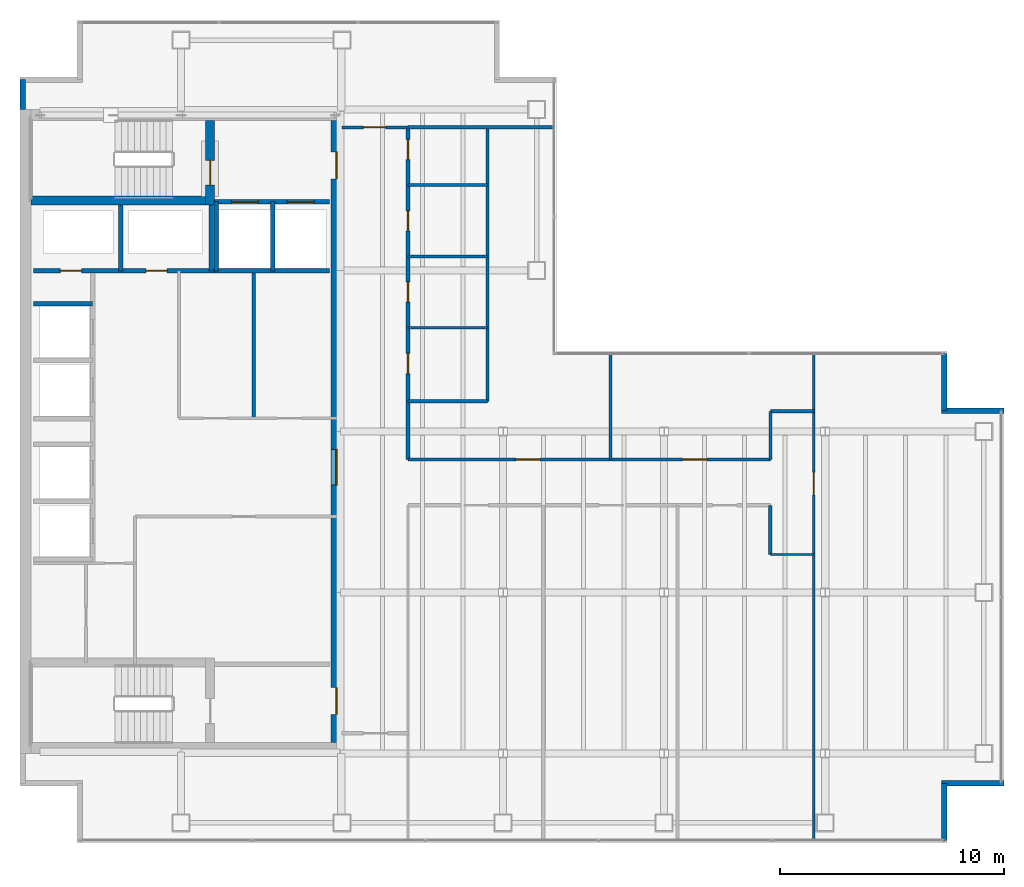
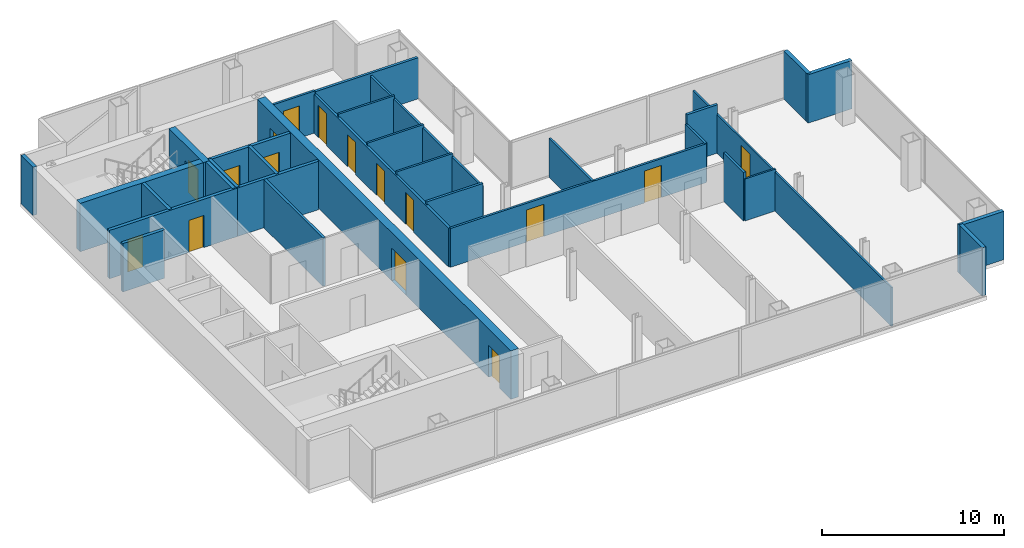
# One storey, part 21 of 23: 32 walls, 16 doors, 16 openings.
"""IFC4 building model written with IfcOpenShell, lengths in metres."""

from ifc_helpers import new_model, si_unit, direction, frame, frame_2d, origin, place, context, subcontext, project, spatial, rectangle, extrude, material, layer, layer_set, type_object, element, fill, save


model = new_model("IFC4")

# Units and contexts
model_context = context("Model", 3, precision=1e-05, world=origin(), true_north=direction((0.0, 1.0)))
body_context = subcontext(model_context, "Body", "Model", "MODEL_VIEW")
ifc_project = project(units=[si_unit("LENGTHUNIT", "METRE"), si_unit("AREAUNIT", "SQUARE_METRE"), si_unit("VOLUMEUNIT", "CUBIC_METRE"), si_unit("PLANEANGLEUNIT", "RADIAN"), si_unit("MASSUNIT", "GRAM", prefix="KILO")], contexts=[model_context])

# Site, building, storey
site_placement = place(None, origin())
site = spatial("IfcSite", under=ifc_project, at=site_placement, CompositionType="ELEMENT")
building_placement = place(site_placement, origin())
building = spatial("IfcBuilding", under=site, at=building_placement, Name="Cobrela Telecom Tower", CompositionType="ELEMENT")
storey_placement = place(building_placement, frame((0.0, 0.0, 194.25)))
storey = spatial("IfcBuildingStorey", under=building, at=storey_placement, Name="L49", CompositionType="ELEMENT", Elevation=194.25)

# Wall, openings, doors
ifc_material_1 = material(Name="Concrete C40/50", Category="concrete")
ifc_layer_1 = layer(ifc_material_1, 0.5)
ifc_layer_set_1 = layer_set([ifc_layer_1], Name="Concrete C40/50")
wall_type_1 = type_object("IfcWallType", Name="WALL-CORE-C40-500", PredefinedType="SHEAR", material=ifc_layer_set_1)
wall_1_placement = place(storey_placement, frame((14.14990234375, 35.5, 0.0), z_axis=(0.0, 0.0, 1.0), x_axis=(0.0, -1.0, 0.0)))
wall_1 = element("IfcWall", 1, at=wall_1_placement, inside=storey, type_object=wall_type_1, Name="L49 East Core Shear Wall", PredefinedType="SHEAR", context=body_context, shape_type="SweptSolid", body=[
    extrude(rectangle(XDim=27.800048828125, YDim=0.5, at=frame_2d((13.89990234375, 0.0))), origin(), (0.0, 0.0, 1.0), 3.239990234375),
])
opening_1_placement = place(wall_1_placement, frame((1.39990234375, 0.0, 0.0)))
opening_1 = element("IfcOpeningElement", 2, at=opening_1_placement, cuts=wall_1, Name="Opening DR-19", PredefinedType="OPENING", context=body_context, shape_type="SweptSolid", body=[
    extrude(rectangle(XDim=1.199951171875, YDim=2.14990234375, at=frame_2d((0.60009765625, 1.074951171875))), frame((0.0, 0.261962890625, 0.0), z_axis=(0.0, -1.0, 0.0), x_axis=(1.0, 0.0, 0.0)), (0.0, 0.0, 1.0), 0.52392578125),
])
opening_2_placement = place(wall_1_placement, frame((25.35009765625, 0.0, 0.0)))
opening_2 = element("IfcOpeningElement", 3, at=opening_2_placement, cuts=wall_1, Name="Opening DR-19", PredefinedType="OPENING", context=body_context, shape_type="SweptSolid", body=[
    extrude(rectangle(XDim=1.199951171875, YDim=2.14990234375, at=frame_2d((0.60009765625, 1.074951171875))), frame((0.0, 0.261962890625, 0.0), z_axis=(0.0, -1.0, 0.0), x_axis=(1.0, 0.0, 0.0)), (0.0, 0.0, 1.0), 0.52392578125),
])
opening_3_placement = place(wall_1_placement, frame((14.699951171875, 0.0, 0.0)))
opening_3 = element("IfcOpeningElement", 4, at=opening_3_placement, cuts=wall_1, Name="Opening DR-51", PredefinedType="OPENING", context=body_context, shape_type="SweptSolid", body=[
    extrude(rectangle(XDim=1.60009765625, YDim=2.199951171875, at=frame_2d((0.800048828125, 1.10009765625))), frame((0.0, 0.261962890625, 0.0), z_axis=(0.0, -1.0, 0.0), x_axis=(1.0, 0.0, 0.0)), (0.0, 0.0, 1.0), 0.52392578125),
])
ifc_material_2 = material(Name="Steel ASTM A36", Category="steel")
door_type_1 = type_object("IfcDoorType", Name="DOOR-FD60-1200", OperationType="SINGLE_SWING_LEFT", PredefinedType="DOOR", material=ifc_material_2)
door_1_placement = place(opening_1_placement, origin())
door_1 = element("IfcDoor", 5, at=door_1_placement, inside=storey, type_object=door_type_1, Name="L49 Door DR-19", OperationType="SINGLE_SWING_LEFT", OverallHeight=2.14990234375, OverallWidth=1.199951171875, PredefinedType="DOOR", context=body_context, shape_type="SweptSolid", body=[
    extrude(rectangle(XDim=1.199951171875, YDim=2.14990234375, at=frame_2d((0.60009765625, 1.074951171875))), frame((0.0, 0.02490234375, 0.0), z_axis=(0.0, -1.0, 0.0), x_axis=(1.0, 0.0, 0.0)), (0.0, 0.0, 1.0), 0.050048828125),
])
fill(opening_1, door_1)
door_2_placement = place(opening_2_placement, origin())
door_2 = element("IfcDoor", 6, at=door_2_placement, inside=storey, type_object=door_type_1, Name="L49 Door DR-19", OperationType="SINGLE_SWING_RIGHT", OverallHeight=2.14990234375, OverallWidth=1.199951171875, PredefinedType="DOOR", context=body_context, shape_type="SweptSolid", body=[
    extrude(rectangle(XDim=1.199951171875, YDim=2.14990234375, at=frame_2d((0.60009765625, 1.074951171875))), frame((0.0, 0.02490234375, 0.0), z_axis=(0.0, -1.0, 0.0), x_axis=(1.0, 0.0, 0.0)), (0.0, 0.0, 1.0), 0.050048828125),
])
fill(opening_2, door_2)
door_type_2 = type_object("IfcDoorType", Name="DOOR-FD60-1600", OperationType="SINGLE_SWING_LEFT", PredefinedType="DOOR", material=ifc_material_2)
door_3_placement = place(opening_3_placement, origin())
door_3 = element("IfcDoor", 7, at=door_3_placement, inside=storey, type_object=door_type_2, Name="L49 Door DR-51", OperationType="DOUBLE_DOOR_SINGLE_SWING", OverallHeight=2.199951171875, OverallWidth=1.60009765625, PredefinedType="DOOR", context=body_context, shape_type="SweptSolid", body=[
    extrude(rectangle(XDim=1.60009765625, YDim=2.199951171875, at=frame_2d((0.800048828125, 1.10009765625))), frame((0.0, 0.02490234375, 0.0), z_axis=(0.0, -1.0, 0.0), x_axis=(1.0, 0.0, 0.0)), (0.0, 0.0, 1.0), 0.050048828125),
])
fill(opening_3, door_3)

# Walls
ifc_layer_2 = layer(ifc_material_1, 0.239990234375)
ifc_layer_set_2 = layer_set([ifc_layer_2], Name="Concrete C40/50")
wall_type_2 = type_object("IfcWallType", Name="WALL-EXT-300", PredefinedType="STANDARD", material=ifc_layer_set_2)
wall_2_placement = place(storey_placement, frame((0.1201171875, 36.0, 0.0), z_axis=(0.0, 0.0, 1.0), x_axis=(0.0, 1.0, 0.0)))
element("IfcWall", 8, at=wall_2_placement, inside=storey, type_object=wall_type_2, Name="L49 Insulated Facade Wall 04", PredefinedType="STANDARD", context=body_context, shape_type="SweptSolid", body=[
    extrude(rectangle(XDim=1.330078125, YDim=0.239990234375, at=frame_2d((0.6650390625, 0.0))), origin(), (0.0, 0.0, 1.0), 3.239990234375),
])
wall_3_placement = place(storey_placement, frame((41.330078125, 25.080078125, 0.0), z_axis=(0.0, 0.0, 1.0), x_axis=(0.0, -1.0, 0.0)))
element("IfcWall", 9, at=wall_3_placement, inside=storey, type_object=wall_type_2, Name="L49 Insulated Facade Wall 12", PredefinedType="STANDARD", context=body_context, shape_type="SweptSolid", body=[
    extrude(rectangle(XDim=2.550048828125, YDim=0.239990234375, at=frame_2d((1.27490234375, 0.0))), origin(), (0.0, 0.0, 1.0), 3.239990234375),
])
for number, where, z_axis, x_axis, name in (
    (10, (41.2099609375, 22.530029296875, 0.0), (0.0, 0.0, 1.0), (1.0, 0.0, 0.0), "L49 Insulated Facade Wall 13"),
    (11, (44.0, 5.8701171875, 0.0), (0.0, 0.0, 1.0), (-1.0, 0.0, 0.0), "L49 Insulated Facade Wall 15"),
):
    element("IfcWall", number, at=place(storey_placement, frame(where, z_axis=z_axis, x_axis=x_axis)), inside=storey, type_object=wall_type_2, Name=name, PredefinedType="STANDARD", context=body_context, shape_type="SweptSolid", body=[
        extrude(rectangle(XDim=2.7900390625, YDim=0.239990234375, at=frame_2d((1.39501953125, 0.0))), origin(), (0.0, 0.0, 1.0), 3.239990234375),
    ])
wall_4_placement = place(storey_placement, frame((41.330078125, 5.8701171875, 0.0), z_axis=(0.0, 0.0, 1.0), x_axis=(0.0, -1.0, 0.0)))
element("IfcWall", 12, at=wall_4_placement, inside=storey, type_object=wall_type_2, Name="L49 Insulated Facade Wall 16", PredefinedType="STANDARD", context=body_context, shape_type="SweptSolid", body=[
    extrude(rectangle(XDim=2.550048828125, YDim=0.239990234375, at=frame_2d((1.27490234375, 0.0))), origin(), (0.0, 0.0, 1.0), 3.239990234375),
])
ifc_material_3 = material(Name="Fire-Rated Gypsum Plasterboard")
ifc_layer_3 = layer(ifc_material_3, 0.110107421875)
ifc_layer_set_3 = layer_set([ifc_layer_3], Name="Fire-Rated Gypsum Plasterboard")
wall_type_3 = type_object("IfcWallType", Name="WALL-PART-110", PredefinedType="PARTITIONING", material=ifc_layer_set_3)
wall_5_placement = place(storey_placement, frame((33.550048828125, 16.10009765625, 0.0), z_axis=(0.0, 0.0, 1.0), x_axis=(1.0, 0.0, 0.0)))
element("IfcWall", 13, at=wall_5_placement, inside=storey, type_object=wall_type_3, Name="L49 Interior Partition W-CT-S", PredefinedType="PARTITIONING", context=body_context, shape_type="SweptSolid", body=[
    extrude(rectangle(XDim=1.949951171875, YDim=0.110107421875, at=frame_2d((0.97509765625, 0.0))), origin(), (0.0, 0.0, 1.0), 2.80810546875),
])

# Wall, opening, door
wall_6_placement = place(storey_placement, frame((35.5, 3.320068359375, 0.0), z_axis=(0.0, 0.0, 1.0), x_axis=(0.0, 1.0, 0.0)))
wall_6 = element("IfcWall", 14, at=wall_6_placement, inside=storey, type_object=wall_type_3, Name="L49 Interior Partition W-C-END", PredefinedType="PARTITIONING", context=body_context, shape_type="SweptSolid", body=[
    extrude(rectangle(XDim=21.760009765625, YDim=0.110107421875, at=frame_2d((10.8798828125, 0.0))), origin(), (0.0, 0.0, 1.0), 2.60302734375),
])
opening_4_placement = place(wall_6_placement, frame((15.449951171875, 0.0, 0.0)))
opening_4 = element("IfcOpeningElement", 15, at=opening_4_placement, cuts=wall_6, Name="Opening DR-31", PredefinedType="OPENING", context=body_context, shape_type="SweptSolid", body=[
    extrude(rectangle(XDim=1.0, YDim=2.14990234375, at=frame_2d((0.5, 1.074951171875))), frame((0.0, 0.06689453125, 0.0), z_axis=(0.0, -1.0, 0.0), x_axis=(1.0, 0.0, 0.0)), (0.0, 0.0, 1.0), 0.134033203125),
])
ifc_material_4 = material(Name="Solid Engineered Oak Timber", Category="wood")
door_type_3 = type_object("IfcDoorType", Name="DOOR-INT-1000", OperationType="SINGLE_SWING_LEFT", PredefinedType="DOOR", material=ifc_material_4)
door_4_placement = place(opening_4_placement, origin())
door_4 = element("IfcDoor", 16, at=door_4_placement, inside=storey, type_object=door_type_3, Name="L49 Door DR-31", OperationType="SINGLE_SWING_LEFT", OverallHeight=2.14990234375, OverallWidth=1.0, PredefinedType="DOOR", context=body_context, shape_type="SweptSolid", body=[
    extrude(rectangle(XDim=1.0, YDim=2.14990234375, at=frame_2d((0.5, 1.074951171875))), frame((0.0, 0.02490234375, 0.0), z_axis=(0.0, -1.0, 0.0), x_axis=(1.0, 0.0, 0.0)), (0.0, 0.0, 1.0), 0.050048828125),
])
fill(opening_4, door_4)

# Walls
ifc_layer_4 = layer(ifc_material_3, 0.125)
ifc_layer_set_4 = layer_set([ifc_layer_4], Name="Fire-Rated Gypsum Plasterboard")
wall_type_4 = type_object("IfcWallType", Name="WALL-PART-125", PredefinedType="PARTITIONING", material=ifc_layer_set_4)
for number, where, z_axis, x_axis, name in (
    (17, (17.35009765625, 26.239990234375, 0.0), (0.0, 0.0, 1.0), (1.0, 0.0, 0.0), "L49 Interior Partition W-WCD-1"),
    (18, (17.35009765625, 29.429931640625, 0.0), (0.0, 0.0, 1.0), (1.0, 0.0, 0.0), "L49 Interior Partition W-WCD-2"),
    (19, (17.35009765625, 32.6201171875, 0.0), (0.0, 0.0, 1.0), (1.0, 0.0, 0.0), "L49 Interior Partition W-WCD-3"),
):
    element("IfcWall", number, at=place(storey_placement, frame(where, z_axis=z_axis, x_axis=x_axis)), inside=storey, type_object=wall_type_4, Name=name, PredefinedType="PARTITIONING", context=body_context, shape_type="SweptSolid", body=[
        extrude(rectangle(XDim=3.5498046875, YDim=0.125, at=frame_2d((1.77490234375, 0.0))), origin(), (0.0, 0.0, 1.0), 2.80810546875),
    ])

# Wall, opening, door
ifc_layer_5 = layer(ifc_material_3, 0.135009765625)
ifc_layer_set_5 = layer_set([ifc_layer_5], Name="Fire-Rated Gypsum Plasterboard")
wall_type_5 = type_object("IfcWallType", Name="WALL-PART-135", PredefinedType="PARTITIONING", material=ifc_layer_set_5)
wall_7_placement = place(storey_placement, frame((14.39990234375, 35.199951171875, 0.0), z_axis=(0.0, 0.0, 1.0), x_axis=(1.0, 0.0, 0.0)))
wall_7 = element("IfcWall", 20, at=wall_7_placement, inside=storey, type_object=wall_type_5, Name="L49 Interior Partition W-C-N0", PredefinedType="PARTITIONING", context=body_context, shape_type="SweptSolid", body=[
    extrude(rectangle(XDim=2.9501953125, YDim=0.135009765625, at=frame_2d((1.47509765625, 0.0))), origin(), (0.0, 0.0, 1.0), 2.80810546875),
])
opening_5_placement = place(wall_7_placement, frame((0.949951171875, 0.0, 0.0)))
opening_5 = element("IfcOpeningElement", 21, at=opening_5_placement, cuts=wall_7, Name="Opening DR-31", PredefinedType="OPENING", context=body_context, shape_type="SweptSolid", body=[
    extrude(rectangle(XDim=1.0, YDim=2.14990234375, at=frame_2d((0.5, 1.074951171875))), frame((0.0, 0.07958984375, 0.0), z_axis=(0.0, -1.0, 0.0), x_axis=(1.0, 0.0, 0.0)), (0.0, 0.0, 1.0), 0.158935546875),
])
door_5_placement = place(opening_5_placement, origin())
door_5 = element("IfcDoor", 22, at=door_5_placement, inside=storey, type_object=door_type_3, Name="L49 Door DR-31", OperationType="SINGLE_SWING_LEFT", OverallHeight=2.14990234375, OverallWidth=1.0, PredefinedType="DOOR", context=body_context, shape_type="SweptSolid", body=[
    extrude(rectangle(XDim=1.0, YDim=2.14990234375, at=frame_2d((0.5, 1.074951171875))), frame((0.0, 0.02490234375, 0.0), z_axis=(0.0, -1.0, 0.0), x_axis=(1.0, 0.0, 0.0)), (0.0, 0.0, 1.0), 0.050048828125),
])
fill(opening_5, door_5)

# Wall, openings, doors
wall_8_placement = place(storey_placement, frame((17.35009765625, 20.35009765625, 0.0), z_axis=(0.0, 0.0, 1.0), x_axis=(1.0, 0.0, 0.0)))
wall_8 = element("IfcWall", 23, at=wall_8_placement, inside=storey, type_object=wall_type_5, Name="L49 Interior Partition W-C-HN", PredefinedType="PARTITIONING", context=body_context, shape_type="SweptSolid", body=[
    extrude(rectangle(XDim=16.199951171875, YDim=0.135009765625, at=frame_2d((8.10009765625, 0.0))), origin(), (0.0, 0.0, 1.0), 2.60302734375),
])
opening_6_placement = place(wall_8_placement, frame((4.820068359375, 0.0, 0.0)))
opening_6 = element("IfcOpeningElement", 24, at=opening_6_placement, cuts=wall_8, Name="Opening DR-63", PredefinedType="OPENING", context=body_context, shape_type="SweptSolid", body=[
    extrude(rectangle(XDim=1.080078125, YDim=2.14990234375, at=frame_2d((0.5400390625, 1.074951171875))), frame((0.0, 0.07958984375, 0.0), z_axis=(0.0, -1.0, 0.0), x_axis=(1.0, 0.0, 0.0)), (0.0, 0.0, 1.0), 0.158935546875),
])
opening_7_placement = place(wall_8_placement, frame((12.280029296875, 0.0, 0.0)))
opening_7 = element("IfcOpeningElement", 25, at=opening_7_placement, cuts=wall_8, Name="Opening DR-63", PredefinedType="OPENING", context=body_context, shape_type="SweptSolid", body=[
    extrude(rectangle(XDim=1.080078125, YDim=2.14990234375, at=frame_2d((0.5400390625, 1.074951171875))), frame((0.0, 0.07958984375, 0.0), z_axis=(0.0, -1.0, 0.0), x_axis=(1.0, 0.0, 0.0)), (0.0, 0.0, 1.0), 0.158935546875),
])
door_type_4 = type_object("IfcDoorType", Name="DOOR-INT-1080", OperationType="SINGLE_SWING_LEFT", PredefinedType="DOOR", material=ifc_material_4)
door_6_placement = place(opening_6_placement, origin())
door_6 = element("IfcDoor", 26, at=door_6_placement, inside=storey, type_object=door_type_4, Name="L49 Door DR-63", OperationType="SINGLE_SWING_LEFT", OverallHeight=2.14990234375, OverallWidth=1.080078125, PredefinedType="DOOR", context=body_context, shape_type="SweptSolid", body=[
    extrude(rectangle(XDim=1.080078125, YDim=2.14990234375, at=frame_2d((0.5400390625, 1.074951171875))), frame((0.0, 0.02490234375, 0.0), z_axis=(0.0, -1.0, 0.0), x_axis=(1.0, 0.0, 0.0)), (0.0, 0.0, 1.0), 0.050048828125),
])
fill(opening_6, door_6)
door_7_placement = place(opening_7_placement, origin())
door_7 = element("IfcDoor", 27, at=door_7_placement, inside=storey, type_object=door_type_4, Name="L49 Door DR-63", OperationType="SINGLE_SWING_RIGHT", OverallHeight=2.14990234375, OverallWidth=1.080078125, PredefinedType="DOOR", context=body_context, shape_type="SweptSolid", body=[
    extrude(rectangle(XDim=1.080078125, YDim=2.14990234375, at=frame_2d((0.5400390625, 1.074951171875))), frame((0.0, 0.02490234375, 0.0), z_axis=(0.0, -1.0, 0.0), x_axis=(1.0, 0.0, 0.0)), (0.0, 0.0, 1.0), 0.050048828125),
])
fill(opening_7, door_7)

# Walls
wall_9_placement = place(storey_placement, frame((33.550048828125, 20.35009765625, 0.0), z_axis=(0.0, 0.0, 1.0), x_axis=(0.0, 1.0, 0.0)))
element("IfcWall", 28, at=wall_9_placement, inside=storey, type_object=wall_type_5, Name="L49 Interior Partition W-CT-JW2", PredefinedType="PARTITIONING", context=body_context, shape_type="SweptSolid", body=[
    extrude(rectangle(XDim=2.14990234375, YDim=0.135009765625, at=frame_2d((1.074951171875, 0.0))), origin(), (0.0, 0.0, 1.0), 2.60302734375),
])
wall_10_placement = place(storey_placement, frame((20.89990234375, 22.949951171875, 0.0), z_axis=(0.0, 0.0, 1.0), x_axis=(0.0, 1.0, 0.0)))
element("IfcWall", 29, at=wall_10_placement, inside=storey, type_object=wall_type_5, Name="L49 Interior Partition W-WC-E", PredefinedType="PARTITIONING", context=body_context, shape_type="SweptSolid", body=[
    extrude(rectangle(XDim=12.25, YDim=0.135009765625, at=frame_2d((6.125, 0.0))), origin(), (0.0, 0.0, 1.0), 2.60302734375),
])
wall_11_placement = place(storey_placement, frame((26.39990234375, 20.35009765625, 0.0), z_axis=(0.0, 0.0, 1.0), x_axis=(0.0, 1.0, 0.0)))
element("IfcWall", 30, at=wall_11_placement, inside=storey, type_object=wall_type_5, Name="L49 Interior Partition W-NV-1", PredefinedType="PARTITIONING", context=body_context, shape_type="SweptSolid", body=[
    extrude(rectangle(XDim=4.699951171875, YDim=0.135009765625, at=frame_2d((2.35009765625, 0.0))), origin(), (0.0, 0.0, 1.0), 2.60302734375),
])
ifc_layer_6 = layer(ifc_material_3, 0.14990234375)
ifc_layer_set_6 = layer_set([ifc_layer_6], Name="Fire-Rated Gypsum Plasterboard")
wall_type_6 = type_object("IfcWallType", Name="WALL-PART-150", PredefinedType="PARTITIONING", material=ifc_layer_set_6)
wall_12_placement = place(storey_placement, frame((33.550048828125, 16.10009765625, 0.0), z_axis=(0.0, 0.0, 1.0), x_axis=(0.0, 1.0, 0.0)))
element("IfcWall", 31, at=wall_12_placement, inside=storey, type_object=wall_type_6, Name="L49 Interior Partition W-CT-JW1", PredefinedType="PARTITIONING", context=body_context, shape_type="SweptSolid", body=[
    extrude(rectangle(XDim=2.199951171875, YDim=0.14990234375, at=frame_2d((1.10009765625, 0.0))), origin(), (0.0, 0.0, 1.0), 3.239990234375),
])
wall_13_placement = place(storey_placement, frame((17.35009765625, 22.949951171875, 0.0), z_axis=(0.0, 0.0, 1.0), x_axis=(1.0, 0.0, 0.0)))
element("IfcWall", 32, at=wall_13_placement, inside=storey, type_object=wall_type_6, Name="L49 Interior Partition W-WC-S", PredefinedType="PARTITIONING", context=body_context, shape_type="SweptSolid", body=[
    extrude(rectangle(XDim=3.5498046875, YDim=0.14990234375, at=frame_2d((1.77490234375, 0.0))), origin(), (0.0, 0.0, 1.0), 2.80810546875),
])
ifc_layer_7 = layer(ifc_material_3, 0.159912109375)
ifc_layer_set_7 = layer_set([ifc_layer_7], Name="Fire-Rated Gypsum Plasterboard")
wall_type_7 = type_object("IfcWallType", Name="WALL-PART-160", PredefinedType="PARTITIONING", material=ifc_layer_set_7)
wall_14_placement = place(storey_placement, frame((10.449951171875, 22.199951171875, 0.0), z_axis=(0.0, 0.0, 1.0), x_axis=(0.0, 1.0, 0.0)))
element("IfcWall", 33, at=wall_14_placement, inside=storey, type_object=wall_type_7, Name="L49 Interior Partition CW-RECL-V", PredefinedType="PARTITIONING", context=body_context, shape_type="SweptSolid", body=[
    extrude(rectangle(XDim=6.580078125, YDim=0.159912109375, at=frame_2d((3.2900390625, 0.0))), origin(), (0.0, 0.0, 1.0), 3.239990234375),
])

# Wall, openings, doors
wall_15_placement = place(storey_placement, frame((17.35009765625, 20.35009765625, 0.0), z_axis=(0.0, 0.0, 1.0), x_axis=(0.0, 1.0, 0.0)))
wall_15 = element("IfcWall", 34, at=wall_15_placement, inside=storey, type_object=wall_type_7, Name="L49 Interior Partition W-C-E2", PredefinedType="PARTITIONING", context=body_context, shape_type="SweptSolid", body=[
    extrude(rectangle(XDim=14.849853515625, YDim=0.159912109375, at=frame_2d((7.4248046875, 0.0))), origin(), (0.0, 0.0, 1.0), 2.60302734375),
])
opening_8_placement = place(wall_15_placement, frame((3.840087890625, 0.0, 0.0)))
opening_8 = element("IfcOpeningElement", 35, at=opening_8_placement, cuts=wall_15, Name="Opening DR-41", PredefinedType="OPENING", context=body_context, shape_type="SweptSolid", body=[
    extrude(rectangle(XDim=0.89990234375, YDim=2.14990234375, at=frame_2d((0.449951171875, 1.074951171875))), frame((0.0, 0.091796875, 0.0), z_axis=(0.0, -1.0, 0.0), x_axis=(1.0, 0.0, 0.0)), (0.0, 0.0, 1.0), 0.183837890625),
])
opening_9_placement = place(wall_15_placement, frame((7.0400390625, 0.0, 0.0)))
opening_9 = element("IfcOpeningElement", 36, at=opening_9_placement, cuts=wall_15, Name="Opening DR-41", PredefinedType="OPENING", context=body_context, shape_type="SweptSolid", body=[
    extrude(rectangle(XDim=0.89990234375, YDim=2.14990234375, at=frame_2d((0.449951171875, 1.074951171875))), frame((0.0, 0.091796875, 0.0), z_axis=(0.0, -1.0, 0.0), x_axis=(1.0, 0.0, 0.0)), (0.0, 0.0, 1.0), 0.183837890625),
])
opening_10_placement = place(wall_15_placement, frame((10.219970703125, 0.0, 0.0)))
opening_10 = element("IfcOpeningElement", 37, at=opening_10_placement, cuts=wall_15, Name="Opening DR-41", PredefinedType="OPENING", context=body_context, shape_type="SweptSolid", body=[
    extrude(rectangle(XDim=0.89990234375, YDim=2.14990234375, at=frame_2d((0.449951171875, 1.074951171875))), frame((0.0, 0.091796875, 0.0), z_axis=(0.0, -1.0, 0.0), x_axis=(1.0, 0.0, 0.0)), (0.0, 0.0, 1.0), 0.183837890625),
])
opening_11_placement = place(wall_15_placement, frame((13.409912109375, 0.0, 0.0)))
opening_11 = element("IfcOpeningElement", 38, at=opening_11_placement, cuts=wall_15, Name="Opening DR-41", PredefinedType="OPENING", context=body_context, shape_type="SweptSolid", body=[
    extrude(rectangle(XDim=0.89990234375, YDim=2.14990234375, at=frame_2d((0.449951171875, 1.074951171875))), frame((0.0, 0.091796875, 0.0), z_axis=(0.0, -1.0, 0.0), x_axis=(1.0, 0.0, 0.0)), (0.0, 0.0, 1.0), 0.183837890625),
])
door_type_5 = type_object("IfcDoorType", Name="DOOR-INT-900", OperationType="SINGLE_SWING_LEFT", PredefinedType="DOOR", material=ifc_material_4)
door_8_placement = place(opening_8_placement, origin())
door_8 = element("IfcDoor", 39, at=door_8_placement, inside=storey, type_object=door_type_5, Name="L49 Door DR-41", OperationType="SINGLE_SWING_LEFT", OverallHeight=2.14990234375, OverallWidth=0.89990234375, PredefinedType="DOOR", context=body_context, shape_type="SweptSolid", body=[
    extrude(rectangle(XDim=0.89990234375, YDim=2.14990234375, at=frame_2d((0.449951171875, 1.074951171875))), frame((0.0, 0.02490234375, 0.0), z_axis=(0.0, -1.0, 0.0), x_axis=(1.0, 0.0, 0.0)), (0.0, 0.0, 1.0), 0.050048828125),
])
fill(opening_8, door_8)
door_9_placement = place(opening_9_placement, origin())
door_9 = element("IfcDoor", 40, at=door_9_placement, inside=storey, type_object=door_type_5, Name="L49 Door DR-41", OperationType="SINGLE_SWING_RIGHT", OverallHeight=2.14990234375, OverallWidth=0.89990234375, PredefinedType="DOOR", context=body_context, shape_type="SweptSolid", body=[
    extrude(rectangle(XDim=0.89990234375, YDim=2.14990234375, at=frame_2d((0.449951171875, 1.074951171875))), frame((0.0, 0.02490234375, 0.0), z_axis=(0.0, -1.0, 0.0), x_axis=(1.0, 0.0, 0.0)), (0.0, 0.0, 1.0), 0.050048828125),
])
fill(opening_9, door_9)
door_10_placement = place(opening_10_placement, origin())
door_10 = element("IfcDoor", 41, at=door_10_placement, inside=storey, type_object=door_type_5, Name="L49 Door DR-41", OperationType="SINGLE_SWING_LEFT", OverallHeight=2.14990234375, OverallWidth=0.89990234375, PredefinedType="DOOR", context=body_context, shape_type="SweptSolid", body=[
    extrude(rectangle(XDim=0.89990234375, YDim=2.14990234375, at=frame_2d((0.449951171875, 1.074951171875))), frame((0.0, 0.02490234375, 0.0), z_axis=(0.0, -1.0, 0.0), x_axis=(1.0, 0.0, 0.0)), (0.0, 0.0, 1.0), 0.050048828125),
])
fill(opening_10, door_10)
door_11_placement = place(opening_11_placement, origin())
door_11 = element("IfcDoor", 42, at=door_11_placement, inside=storey, type_object=door_type_5, Name="L49 Door DR-41", OperationType="SINGLE_SWING_RIGHT", OverallHeight=2.14990234375, OverallWidth=0.89990234375, PredefinedType="DOOR", context=body_context, shape_type="SweptSolid", body=[
    extrude(rectangle(XDim=0.89990234375, YDim=2.14990234375, at=frame_2d((0.449951171875, 1.074951171875))), frame((0.0, 0.02490234375, 0.0), z_axis=(0.0, -1.0, 0.0), x_axis=(1.0, 0.0, 0.0)), (0.0, 0.0, 1.0), 0.050048828125),
])
fill(opening_11, door_11)

# Walls
wall_16_placement = place(storey_placement, frame((33.550048828125, 22.5, 0.0), z_axis=(0.0, 0.0, 1.0), x_axis=(1.0, 0.0, 0.0)))
element("IfcWall", 43, at=wall_16_placement, inside=storey, type_object=wall_type_7, Name="L49 Interior Partition W-CT-N", PredefinedType="PARTITIONING", context=body_context, shape_type="SweptSolid", body=[
    extrude(rectangle(XDim=1.949951171875, YDim=0.159912109375, at=frame_2d((0.97509765625, 0.0))), origin(), (0.0, 0.0, 1.0), 3.239990234375),
])
wall_17_placement = place(storey_placement, frame((17.35009765625, 35.199951171875, 0.0), z_axis=(0.0, 0.0, 1.0), x_axis=(1.0, 0.0, 0.0)))
element("IfcWall", 44, at=wall_17_placement, inside=storey, type_object=wall_type_7, Name="L49 Interior Partition W-NW-S", PredefinedType="PARTITIONING", context=body_context, shape_type="SweptSolid", body=[
    extrude(rectangle(XDim=6.52978515625, YDim=0.159912109375, at=frame_2d((3.264892578125, 0.0))), origin(), (0.0, 0.0, 1.0), 2.758056640625),
])

# Wall, openings, doors
ifc_layer_8 = layer(ifc_material_3, 0.199951171875)
ifc_layer_set_8 = layer_set([ifc_layer_8], Name="Fire-Rated Gypsum Plasterboard")
wall_type_8 = type_object("IfcWallType", Name="WALL-SHAFT-200", PredefinedType="PARTITIONING", material=ifc_layer_set_8)
wall_18_placement = place(storey_placement, frame((8.699951171875, 31.8798828125, 0.0), z_axis=(0.0, 0.0, 1.0), x_axis=(1.0, 0.0, 0.0)))
wall_18 = element("IfcWall", 45, at=wall_18_placement, inside=storey, type_object=wall_type_8, Name="L49 Shaft Enclosure CW-FFL-S", PredefinedType="PARTITIONING", context=body_context, shape_type="SweptSolid", body=[
    extrude(rectangle(XDim=5.150146484375, YDim=0.199951171875, at=frame_2d((2.5751953125, 0.0))), origin(), (0.0, 0.0, 1.0), 3.239990234375),
])
opening_12_placement = place(wall_18_placement, frame((0.75, 0.0, 0.0)))
opening_12 = element("IfcOpeningElement", 46, at=opening_12_placement, cuts=wall_18, Name="Opening LD-2", PredefinedType="OPENING", context=body_context, shape_type="SweptSolid", body=[
    extrude(rectangle(XDim=1.199951171875, YDim=2.199951171875, at=frame_2d((0.60009765625, 1.10009765625))), frame((0.0, 0.11181640625, 0.0), z_axis=(0.0, -1.0, 0.0), x_axis=(1.0, 0.0, 0.0)), (0.0, 0.0, 1.0), 0.223876953125),
])
opening_13_placement = place(wall_18_placement, frame((3.25, 0.0, 0.0)))
opening_13 = element("IfcOpeningElement", 47, at=opening_13_placement, cuts=wall_18, Name="Opening LD-2", PredefinedType="OPENING", context=body_context, shape_type="SweptSolid", body=[
    extrude(rectangle(XDim=1.199951171875, YDim=2.199951171875, at=frame_2d((0.60009765625, 1.10009765625))), frame((0.0, 0.11181640625, 0.0), z_axis=(0.0, -1.0, 0.0), x_axis=(1.0, 0.0, 0.0)), (0.0, 0.0, 1.0), 0.223876953125),
])
door_type_6 = type_object("IfcDoorType", Name="DOOR-LD-FFL", OperationType="SINGLE_SWING_LEFT", PredefinedType="DOOR", material=ifc_material_2)
door_12_placement = place(opening_12_placement, origin())
door_12 = element("IfcDoor", 48, at=door_12_placement, inside=storey, type_object=door_type_6, Name="L49 Lift Landing Door LD-2", OperationType="DOUBLE_DOOR_SLIDING", OverallHeight=2.199951171875, OverallWidth=1.199951171875, PredefinedType="DOOR", context=body_context, shape_type="SweptSolid", body=[
    extrude(rectangle(XDim=1.199951171875, YDim=2.199951171875, at=frame_2d((0.60009765625, 1.10009765625))), frame((0.0, 0.02490234375, 0.0), z_axis=(0.0, -1.0, 0.0), x_axis=(1.0, 0.0, 0.0)), (0.0, 0.0, 1.0), 0.050048828125),
])
fill(opening_12, door_12)
door_13_placement = place(opening_13_placement, origin())
door_13 = element("IfcDoor", 49, at=door_13_placement, inside=storey, type_object=door_type_6, Name="L49 Lift Landing Door LD-2", OperationType="DOUBLE_DOOR_SLIDING", OverallHeight=2.199951171875, OverallWidth=1.199951171875, PredefinedType="DOOR", context=body_context, shape_type="SweptSolid", body=[
    extrude(rectangle(XDim=1.199951171875, YDim=2.199951171875, at=frame_2d((0.60009765625, 1.10009765625))), frame((0.0, 0.02490234375, 0.0), z_axis=(0.0, -1.0, 0.0), x_axis=(1.0, 0.0, 0.0)), (0.0, 0.0, 1.0), 0.050048828125),
])
fill(opening_13, door_13)

# Walls
wall_19_placement = place(storey_placement, frame((8.699951171875, 28.780029296875, 0.0), z_axis=(0.0, 0.0, 1.0), x_axis=(1.0, 0.0, 0.0)))
element("IfcWall", 50, at=wall_19_placement, inside=storey, type_object=wall_type_8, Name="L49 Shaft Enclosure CW-FFL-S2", PredefinedType="PARTITIONING", context=body_context, shape_type="SweptSolid", body=[
    extrude(rectangle(XDim=5.150146484375, YDim=0.199951171875, at=frame_2d((2.5751953125, 0.0))), origin(), (0.0, 0.0, 1.0), 3.239990234375),
])
for number, where, z_axis, x_axis, name in (
    (51, (8.780029296875, 28.780029296875, 0.0), (0.0, 0.0, 1.0), (0.0, 1.0, 0.0), "L49 Shaft Enclosure CW-FFL-W"),
    (52, (11.300048828125, 28.780029296875, 0.0), (0.0, 0.0, 1.0), (0.0, 1.0, 0.0), "L49 Shaft Enclosure CW-FFL-M"),
):
    element("IfcWall", number, at=place(storey_placement, frame(where, z_axis=z_axis, x_axis=x_axis)), inside=storey, type_object=wall_type_8, Name=name, PredefinedType="PARTITIONING", context=body_context, shape_type="SweptSolid", body=[
        extrude(rectangle(XDim=3.099853515625, YDim=0.199951171875, at=frame_2d((1.5498046875, 0.0))), origin(), (0.0, 0.0, 1.0), 3.239990234375),
    ])

# Wall, openings, doors
wall_20_placement = place(storey_placement, frame((0.60009765625, 28.780029296875, 0.0), z_axis=(0.0, 0.0, 1.0), x_axis=(1.0, 0.0, 0.0)))
wall_20 = element("IfcWall", 53, at=wall_20_placement, inside=storey, type_object=wall_type_8, Name="L49 Shaft Enclosure CW-RIS-S", PredefinedType="PARTITIONING", context=body_context, shape_type="SweptSolid", body=[
    extrude(rectangle(XDim=8.179931640625, YDim=0.199951171875, at=frame_2d((4.08984375, 0.0))), origin(), (0.0, 0.0, 1.0), 3.239990234375),
])
opening_14_placement = place(wall_20_placement, frame((1.2099609375, 0.0, 0.0)))
opening_14 = element("IfcOpeningElement", 54, at=opening_14_placement, cuts=wall_20, Name="Opening DR-65", PredefinedType="OPENING", context=body_context, shape_type="SweptSolid", body=[
    extrude(rectangle(XDim=0.949951171875, YDim=2.14990234375, at=frame_2d((0.47509765625, 1.074951171875))), frame((0.0, 0.11181640625, 0.0), z_axis=(0.0, -1.0, 0.0), x_axis=(1.0, 0.0, 0.0)), (0.0, 0.0, 1.0), 0.223876953125),
])
opening_15_placement = place(wall_20_placement, frame((5.030029296875, 0.0, 0.0)))
opening_15 = element("IfcOpeningElement", 55, at=opening_15_placement, cuts=wall_20, Name="Opening DR-65", PredefinedType="OPENING", context=body_context, shape_type="SweptSolid", body=[
    extrude(rectangle(XDim=0.949951171875, YDim=2.14990234375, at=frame_2d((0.47509765625, 1.074951171875))), frame((0.0, 0.11181640625, 0.0), z_axis=(0.0, -1.0, 0.0), x_axis=(1.0, 0.0, 0.0)), (0.0, 0.0, 1.0), 0.223876953125),
])
door_type_7 = type_object("IfcDoorType", Name="DOOR-FD60-950", OperationType="SINGLE_SWING_LEFT", PredefinedType="DOOR", material=ifc_material_2)
door_14_placement = place(opening_14_placement, origin())
door_14 = element("IfcDoor", 56, at=door_14_placement, inside=storey, type_object=door_type_7, Name="L49 Door DR-65", OperationType="SINGLE_SWING_LEFT", OverallHeight=2.14990234375, OverallWidth=0.949951171875, PredefinedType="DOOR", context=body_context, shape_type="SweptSolid", body=[
    extrude(rectangle(XDim=0.949951171875, YDim=2.14990234375, at=frame_2d((0.47509765625, 1.074951171875))), frame((0.0, 0.02490234375, 0.0), z_axis=(0.0, -1.0, 0.0), x_axis=(1.0, 0.0, 0.0)), (0.0, 0.0, 1.0), 0.050048828125),
])
fill(opening_14, door_14)
door_15_placement = place(opening_15_placement, origin())
door_15 = element("IfcDoor", 57, at=door_15_placement, inside=storey, type_object=door_type_7, Name="L49 Door DR-65", OperationType="SINGLE_SWING_RIGHT", OverallHeight=2.14990234375, OverallWidth=0.949951171875, PredefinedType="DOOR", context=body_context, shape_type="SweptSolid", body=[
    extrude(rectangle(XDim=0.949951171875, YDim=2.14990234375, at=frame_2d((0.47509765625, 1.074951171875))), frame((0.0, 0.02490234375, 0.0), z_axis=(0.0, -1.0, 0.0), x_axis=(1.0, 0.0, 0.0)), (0.0, 0.0, 1.0), 0.050048828125),
])
fill(opening_15, door_15)

# Walls
for number, where, z_axis, x_axis, name in (
    (58, (4.5, 28.780029296875, 0.0), (0.0, 0.0, 1.0), (0.0, 1.0, 0.0), "L49 Shaft Enclosure CW-RIS-M"),
    (59, (8.550048828125, 28.780029296875, 0.0), (0.0, 0.0, 1.0), (0.0, 1.0, 0.0), "L49 Shaft Enclosure CW-RIS-E"),
):
    element("IfcWall", number, at=place(storey_placement, frame(where, z_axis=z_axis, x_axis=x_axis)), inside=storey, type_object=wall_type_8, Name=name, PredefinedType="PARTITIONING", context=body_context, shape_type="SweptSolid", body=[
        extrude(rectangle(XDim=2.93994140625, YDim=0.199951171875, at=frame_2d((1.469970703125, 0.0))), origin(), (0.0, 0.0, 1.0), 3.239990234375),
    ])
wall_21_placement = place(storey_placement, frame((0.60009765625, 27.320068359375, 0.0), z_axis=(0.0, 0.0, 1.0), x_axis=(1.0, 0.0, 0.0)))
element("IfcWall", 60, at=wall_21_placement, inside=storey, type_object=wall_type_8, Name="L49 Shaft Enclosure CW-PLH-TOP", PredefinedType="PARTITIONING", context=body_context, shape_type="SweptSolid", body=[
    extrude(rectangle(XDim=2.64990234375, YDim=0.199951171875, at=frame_2d((1.324951171875, 0.0))), origin(), (0.0, 0.0, 1.0), 3.239990234375),
])
ifc_layer_9 = layer(ifc_material_1, 0.39990234375)
ifc_layer_set_9 = layer_set([ifc_layer_9], Name="Concrete C40/50")
wall_type_9 = type_object("IfcWallType", Name="WALL-SHAFT-C40-400", PredefinedType="SHEAR", material=ifc_layer_set_9)
wall_22_placement = place(storey_placement, frame((0.5, 31.919921875, 0.0), z_axis=(0.0, 0.0, 1.0), x_axis=(1.0, 0.0, 0.0)))
element("IfcWall", 61, at=wall_22_placement, inside=storey, type_object=wall_type_9, Name="L49 North Stair Shear Wall", PredefinedType="SHEAR", context=body_context, shape_type="SweptSolid", body=[
    extrude(rectangle(XDim=7.800048828125, YDim=0.39990234375, at=frame_2d((3.89990234375, 0.0))), origin(), (0.0, 0.0, 1.0), 3.239990234375),
])

# Wall, opening, door
wall_23_placement = place(storey_placement, frame((8.5, 31.719970703125, 0.0), z_axis=(0.0, 0.0, 1.0), x_axis=(0.0, 1.0, 0.0)))
wall_23 = element("IfcWall", 62, at=wall_23_placement, inside=storey, type_object=wall_type_9, Name="L49 North Stair Lobby Shear Wall", PredefinedType="SHEAR", context=body_context, shape_type="SweptSolid", body=[
    extrude(rectangle(XDim=3.780029296875, YDim=0.39990234375, at=frame_2d((1.89013671875, 0.0))), origin(), (0.0, 0.0, 1.0), 3.239990234375),
])
opening_16_placement = place(wall_23_placement, frame((0.89990234375, 0.0, 0.0)))
opening_16 = element("IfcOpeningElement", 63, at=opening_16_placement, cuts=wall_23, Name="Opening DR-59", PredefinedType="OPENING", context=body_context, shape_type="SweptSolid", body=[
    extrude(rectangle(XDim=1.10009765625, YDim=2.14990234375, at=frame_2d((0.550048828125, 1.074951171875))), frame((0.0, 0.2119140625, 0.0), z_axis=(0.0, -1.0, 0.0), x_axis=(1.0, 0.0, 0.0)), (0.0, 0.0, 1.0), 0.423828125),
])
door_type_8 = type_object("IfcDoorType", Name="DOOR-FD60-1100", OperationType="SINGLE_SWING_LEFT", PredefinedType="DOOR", material=ifc_material_2)
door_16_placement = place(opening_16_placement, origin())
door_16 = element("IfcDoor", 64, at=door_16_placement, inside=storey, type_object=door_type_8, Name="L49 Door DR-59", OperationType="SINGLE_SWING_RIGHT", OverallHeight=2.14990234375, OverallWidth=1.10009765625, PredefinedType="DOOR", context=body_context, shape_type="SweptSolid", body=[
    extrude(rectangle(XDim=1.10009765625, YDim=2.14990234375, at=frame_2d((0.550048828125, 1.074951171875))), frame((0.0, 0.02490234375, 0.0), z_axis=(0.0, -1.0, 0.0), x_axis=(1.0, 0.0, 0.0)), (0.0, 0.0, 1.0), 0.050048828125),
])
fill(opening_16, door_16)

save(model, "model.ifc")
